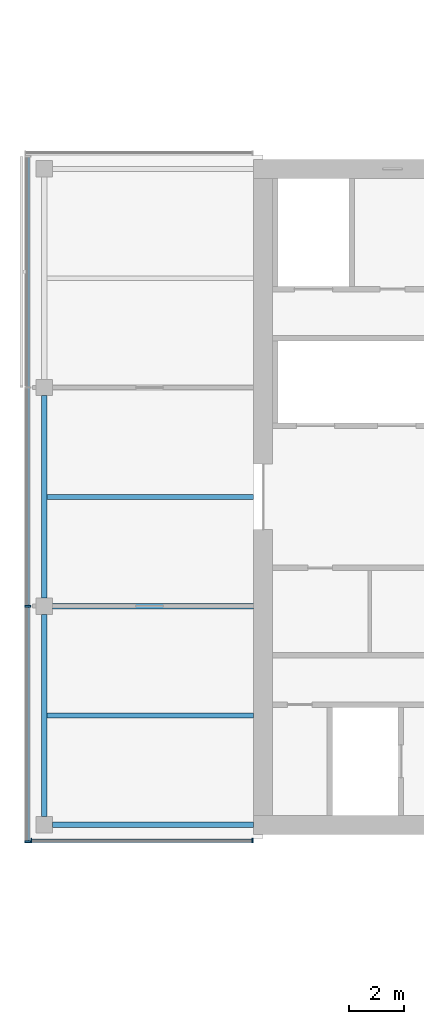
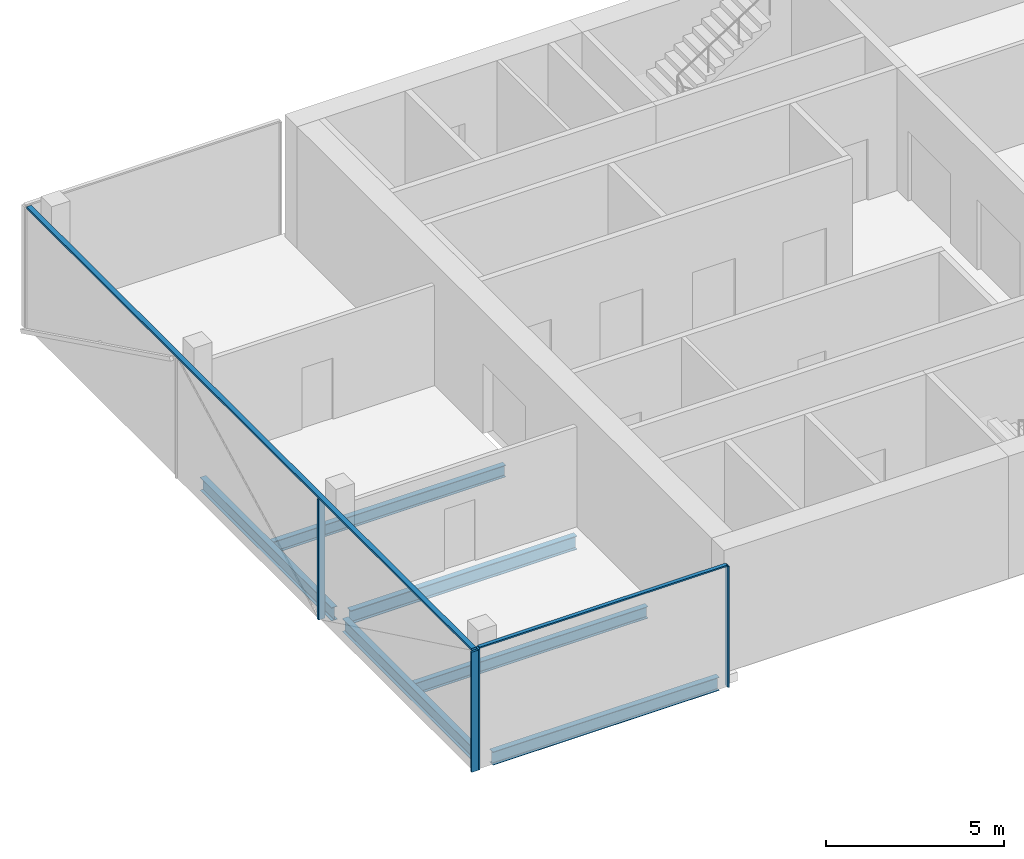
# One storey, part 3 of 22: 6 beams, 6 members, 2 elements without a shape of their own.
"""IFC4 building model written with IfcOpenShell, lengths in metres."""

from ifc_helpers import new_model, si_unit, direction, frame, origin, origin_2d, place, context, subcontext, project, spatial, rectangle, i_section, extrude, material, material_profile, profile_set, type_object, element, aggregate, save


model = new_model("IFC4")

# Units and contexts
model_context = context("Model", 3, precision=1e-05, world=origin(), true_north=direction((0.0, 1.0)))
body_context = subcontext(model_context, "Body", "Model", "MODEL_VIEW")
ifc_project = project(units=[si_unit("LENGTHUNIT", "METRE"), si_unit("AREAUNIT", "SQUARE_METRE"), si_unit("VOLUMEUNIT", "CUBIC_METRE"), si_unit("PLANEANGLEUNIT", "RADIAN"), si_unit("MASSUNIT", "GRAM", prefix="KILO")], contexts=[model_context])

# Site, building, storey
site_placement = place(None, origin())
site = spatial("IfcSite", under=ifc_project, at=site_placement, CompositionType="ELEMENT")
building_placement = place(site_placement, origin())
building = spatial("IfcBuilding", under=site, at=building_placement, Name="Crosswind Convention Tower", CompositionType="ELEMENT")
storey_placement = place(building_placement, frame((0.0, 0.0, 158.89990234375)))
storey = spatial("IfcBuildingStorey", under=building, at=storey_placement, Name="L33", CompositionType="ELEMENT", Elevation=158.89990234375)

# Beams
ifc_material_1 = material(Name="Steel S355", Category="steel")
ifc_material_profile_1 = material_profile(ifc_material_1, i_section(OverallWidth=0.18994140625, OverallDepth=0.45361328125, WebThickness=0.008544921875, FlangeThickness=0.0126953125, FilletRadius=0.01025390625, at=origin_2d()), Name="UB 457x191x67")
ifc_profile_set_1 = profile_set([ifc_material_profile_1], Name="Steel S355")
beam_type_1 = type_object("IfcBeamType", Name="Edge beam UB 457x191x67", PredefinedType="SPANDREL", material=ifc_profile_set_1)
for number, where, z_axis, x_axis, name in (
    (1, (89.0, 88.300048828125, -0.526611328125), (0.0, 1.0, 0.0), (-1.0, 0.0, 0.0), "B16 L33 edge beam 1"),
    (2, (89.0, 96.300048828125, -0.526611328125), (0.0, 1.0, 0.0), (-1.0, 0.0, 0.0), "B16 L33 edge beam 2"),
):
    element("IfcBeam", number, at=place(storey_placement, frame(where, z_axis=z_axis, x_axis=x_axis)), inside=storey, type_object=beam_type_1, Name=name, PredefinedType="SPANDREL", context=body_context, shape_type="SweptSolid", body=[
        extrude(i_section(OverallWidth=0.18994140625, OverallDepth=0.45361328125, WebThickness=0.008544921875, FlangeThickness=0.0126953125, FilletRadius=0.01025390625, at=origin_2d()), origin(), (0.0, 0.0, 1.0), 7.39990234375),
    ])
beam_1_placement = place(storey_placement, frame((89.300048828125, 88.0, -0.526611328125), z_axis=(1.0, 0.0, 0.0), x_axis=(0.0, 1.0, 0.0)))
element("IfcBeam", 3, at=beam_1_placement, inside=storey, type_object=beam_type_1, Name="B16 L33 edge beam 4", PredefinedType="SPANDREL", context=body_context, shape_type="SweptSolid", body=[
    extrude(i_section(OverallWidth=0.18994140625, OverallDepth=0.45361328125, WebThickness=0.008544921875, FlangeThickness=0.0126953125, FilletRadius=0.01025390625, at=origin_2d()), origin(), (0.0, 0.0, 1.0), 7.349853515625),
])
ifc_material_profile_2 = material_profile(ifc_material_1, i_section(OverallWidth=0.19189453125, OverallDepth=0.463623046875, WebThickness=0.010498046875, FlangeThickness=0.017578125, FilletRadius=0.01025390625, at=origin_2d()), Name="UB 457x191x90")
ifc_profile_set_2 = profile_set([ifc_material_profile_2], Name="Steel S355")
beam_type_2 = type_object("IfcBeamType", Name="Girder at core wall UB 457x191x90", PredefinedType="BEAM", material=ifc_profile_set_2)
beam_2_placement = place(storey_placement, frame((89.300048828125, 96.0, -0.53173828125), z_axis=(1.0, 0.0, 0.0), x_axis=(0.0, 1.0, 0.0)))
element("IfcBeam", 4, at=beam_2_placement, inside=storey, type_object=beam_type_2, Name="B24 L33 girder at core wall 1", PredefinedType="BEAM", context=body_context, shape_type="SweptSolid", body=[
    extrude(i_section(OverallWidth=0.19189453125, OverallDepth=0.463623046875, WebThickness=0.010498046875, FlangeThickness=0.017578125, FilletRadius=0.01025390625, at=origin_2d()), origin(), (0.0, 0.0, 1.0), 7.349853515625),
])

# Curtain wall, members
ifc_material_2 = material(Name="Aluminium unitised curtain wall", Category="aluminium")
curtain_wall_type_1 = type_object("IfcCurtainWallType", Name="CORE END SLOT WALL 160", PredefinedType="USERDEFINED", material=ifc_material_2)
curtain_wall_1_placement = place(storey_placement, origin())
curtain_wall_1 = element("IfcCurtainWall", 5, at=curtain_wall_1_placement, inside=storey, type_object=curtain_wall_type_1, Name="CW6 L33 W-S.1-1 slot", ObjectType="UNITISED", PredefinedType="USERDEFINED")
ifc_material_3 = material(Name="Aluminium mullion", Category="aluminium")
ifc_material_profile_3 = material_profile(ifc_material_3, rectangle(XDim=0.159912109375, YDim=0.050048828125, at=origin_2d()), Name="AL 160X50")
ifc_profile_set_3 = profile_set([ifc_material_profile_3], Name="Aluminium mullion")
member_type_1 = type_object("IfcMemberType", Name="MULLION 50X160", PredefinedType="MULLION", material=ifc_profile_set_3)
member_1_placement = place(storey_placement, frame((88.52490234375, 87.419921875, -0.2998046875), z_axis=(0.0, 0.0, 1.0), x_axis=(0.0, -1.0, 0.0)))
member_1 = element("IfcMember", 6, at=member_1_placement, type_object=member_type_1, Name="CW6 mullion 1", PredefinedType="MULLION", context=body_context, shape_type="SweptSolid", body=[
    extrude(rectangle(XDim=0.159912109375, YDim=0.050048828125, at=origin_2d()), origin(), (0.0, 0.0, 1.0), 4.14990234375),
])
member_2_placement = place(storey_placement, frame((96.625, 87.419921875, -0.2998046875), z_axis=(0.0, 0.0, 1.0), x_axis=(0.0, -1.0, 0.0)))
member_2 = element("IfcMember", 7, at=member_2_placement, type_object=member_type_1, Name="CW6 mullion 2", PredefinedType="MULLION", context=body_context, shape_type="SweptSolid", body=[
    extrude(rectangle(XDim=0.159912109375, YDim=0.050048828125, at=origin_2d()), origin(), (0.0, 0.0, 1.0), 4.14990234375),
])

curtain_wall_type_2 = type_object("IfcCurtainWallType", Name="OFFICE UNITISED WALL 220", PredefinedType="USERDEFINED", material=ifc_material_2)
curtain_wall_2_placement = place(storey_placement, origin())
curtain_wall_2 = element("IfcCurtainWall", 8, at=curtain_wall_2_placement, inside=storey, type_object=curtain_wall_type_2, Name="CW3 L33 W-TIP 1", ObjectType="UNITISED", PredefinedType="USERDEFINED")
ifc_material_profile_4 = material_profile(ifc_material_3, rectangle(XDim=0.219970703125, YDim=0.070068359375, at=origin_2d()), Name="AL 220X70")
ifc_profile_set_4 = profile_set([ifc_material_profile_4], Name="Aluminium mullion")
member_type_2 = type_object("IfcMemberType", Name="MULLION 70X220", PredefinedType="MULLION", material=ifc_profile_set_4)
member_3_placement = place(storey_placement, frame((88.389892578125, 96.0, -0.2998046875), z_axis=(0.0, 0.0, 1.0), x_axis=(-1.0, 0.0, 0.0)))
member_3 = element("IfcMember", 9, at=member_3_placement, type_object=member_type_2, Name="CW3 mullion 3", PredefinedType="MULLION", context=body_context, shape_type="SweptSolid", body=[
    extrude(rectangle(XDim=0.219970703125, YDim=0.070068359375, at=origin_2d()), origin(), (0.0, 0.0, 1.0), 4.1298828125),
])
member_4_placement = place(storey_placement, frame((88.389892578125, 87.375, -0.2998046875), z_axis=(0.0, 0.0, 1.0), x_axis=(-1.0, 0.0, 0.0)))
member_4 = element("IfcMember", 10, at=member_4_placement, type_object=member_type_2, Name="CW3 mullion 4", PredefinedType="MULLION", context=body_context, shape_type="SweptSolid", body=[
    extrude(rectangle(XDim=0.219970703125, YDim=0.070068359375, at=origin_2d()), origin(), (0.0, 0.0, 1.0), 4.1298828125),
])

# Beams
ifc_material_profile_5 = material_profile(ifc_material_1, i_section(OverallWidth=0.177734375, OverallDepth=0.406494140625, WebThickness=0.0078125, FlangeThickness=0.0126953125, FilletRadius=0.01025390625, at=origin_2d()), Name="UB 406x178x60")
ifc_profile_set_5 = profile_set([ifc_material_profile_5], Name="Steel S355")
beam_type_3 = type_object("IfcBeamType", Name="Secondary beam UB 406x178x60", PredefinedType="JOIST", material=ifc_profile_set_5)
for number, where, z_axis, x_axis, name in (
    (11, (89.094970703125, 92.0, -0.503173828125), (1.0, 0.0, 0.0), (0.0, 1.0, 0.0), "B10 L33 secondary beam 1"),
    (12, (89.094970703125, 100.0, -0.503173828125), (1.0, 0.0, 0.0), (0.0, 1.0, 0.0), "B10 L33 secondary beam 2"),
):
    element("IfcBeam", number, at=place(storey_placement, frame(where, z_axis=z_axis, x_axis=x_axis)), inside=storey, type_object=beam_type_3, Name=name, PredefinedType="JOIST", context=body_context, shape_type="SweptSolid", body=[
        extrude(i_section(OverallWidth=0.177734375, OverallDepth=0.406494140625, WebThickness=0.0078125, FlangeThickness=0.0126953125, FilletRadius=0.01025390625, at=origin_2d()), origin(), (0.0, 0.0, 1.0), 7.554931640625),
    ])

# Member
ifc_material_4 = material(Name="Aluminium transom", Category="aluminium")
ifc_material_profile_6 = material_profile(ifc_material_4, rectangle(XDim=0.1201171875, YDim=0.050048828125, at=origin_2d()), Name="AL 120X50")
ifc_profile_set_6 = profile_set([ifc_material_profile_6], Name="Aluminium transom")
member_type_3 = type_object("IfcMemberType", Name="TRANSOM 50X120", PredefinedType="USERDEFINED", material=ifc_profile_set_6)
member_5_placement = place(storey_placement, frame((88.550048828125, 87.419921875, 3.875), z_axis=(1.0, 0.0, 0.0), x_axis=(0.0, 1.0, 0.0)))
member_5 = element("IfcMember", 13, at=member_5_placement, type_object=member_type_3, Name="CW6 transom", ObjectType="TRANSOM", PredefinedType="USERDEFINED", context=body_context, shape_type="SweptSolid", body=[
    extrude(rectangle(XDim=0.1201171875, YDim=0.050048828125, at=origin_2d()), origin(), (0.0, 0.0, 1.0), 8.050048828125),
])

aggregate(curtain_wall_1, [member_1, member_2, member_5])

ifc_material_profile_7 = material_profile(ifc_material_4, rectangle(XDim=0.159912109375, YDim=0.070068359375, at=origin_2d()), Name="AL 160X70")
ifc_profile_set_7 = profile_set([ifc_material_profile_7], Name="Aluminium transom")
member_type_4 = type_object("IfcMemberType", Name="TRANSOM 70X160", PredefinedType="USERDEFINED", material=ifc_profile_set_7)
member_6_placement = place(storey_placement, frame((88.389892578125, 112.429931640625, 3.864990234375), z_axis=(0.0, -1.0, 0.0), x_axis=(1.0, 0.0, 0.0)))
member_6 = element("IfcMember", 14, at=member_6_placement, type_object=member_type_4, Name="CW3 transom", ObjectType="TRANSOM", PredefinedType="USERDEFINED", context=body_context, shape_type="SweptSolid", body=[
    extrude(rectangle(XDim=0.159912109375, YDim=0.070068359375, at=origin_2d()), origin(), (0.0, 0.0, 1.0), 25.02001953125),
])

aggregate(curtain_wall_2, [member_3, member_4, member_6])

save(model, "model.ifc")
